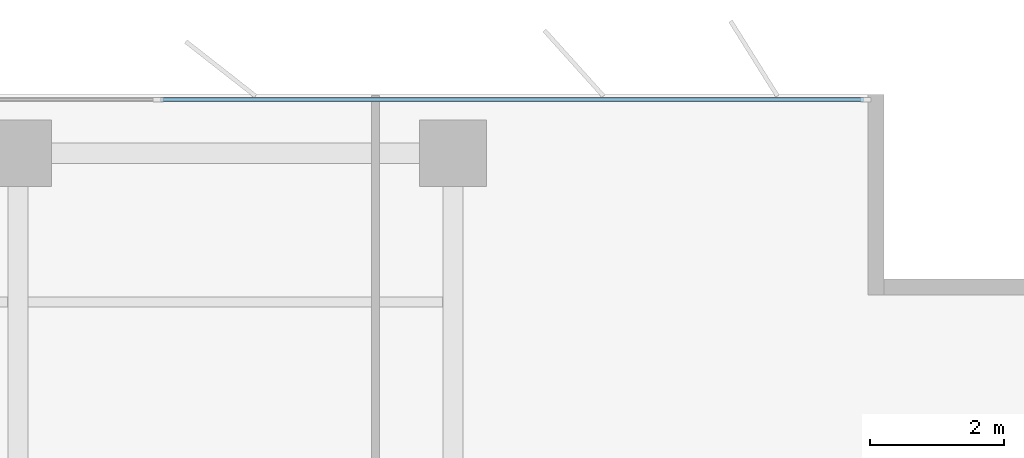
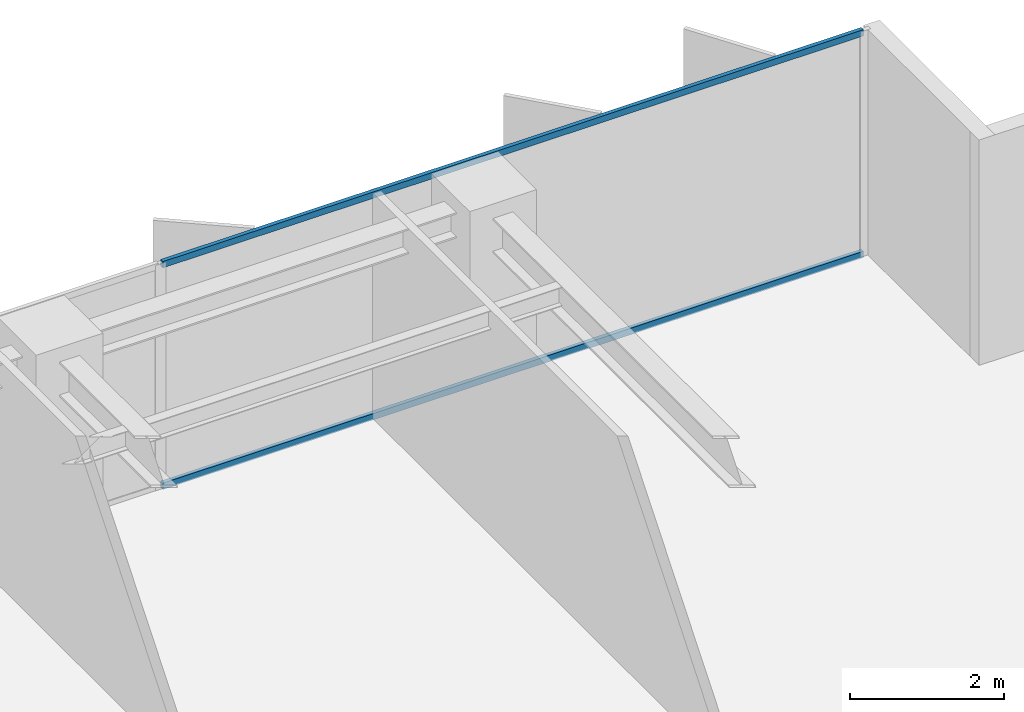
# One storey, part 11 of 22: 2 members, 1 element without a shape of its own.
"""IFC4 building model written with IfcOpenShell, lengths in metres."""

from ifc_helpers import new_model, si_unit, direction, frame, origin, origin_2d, place, context, subcontext, project, spatial, rectangle, extrude, material, layer, layer_set, material_profile, profile_set, type_object, element, aggregate, save


model = new_model("IFC4")

# Units and contexts
model_context = context("Model", 3, precision=1e-05, world=origin(), true_north=direction((0.0, 1.0)))
body_context = subcontext(model_context, "Body", "Model", "MODEL_VIEW")
ifc_project = project(units=[si_unit("LENGTHUNIT", "METRE"), si_unit("AREAUNIT", "SQUARE_METRE"), si_unit("VOLUMEUNIT", "CUBIC_METRE"), si_unit("PLANEANGLEUNIT", "RADIAN"), si_unit("MASSUNIT", "GRAM", prefix="KILO")], contexts=[model_context])

# Site, building, storey
site_placement = place(None, origin())
site = spatial("IfcSite", under=ifc_project, at=site_placement, CompositionType="ELEMENT")
building_placement = place(site_placement, origin())
building = spatial("IfcBuilding", under=site, at=building_placement, Name="Putna Gate Headquarters", CompositionType="ELEMENT")
storey_placement = place(building_placement, frame((0.0, 0.0, 174.60009765625)))
storey = spatial("IfcBuildingStorey", under=building, at=storey_placement, Name="L43", CompositionType="ELEMENT", Elevation=174.60009765625)

# Curtain wall, members
ifc_material_1 = material(Name="Anodised bronze aluminium curtain wall", Category="aluminium")
ifc_layer = layer(ifc_material_1, 0.159912109375)
ifc_layer_set = layer_set([ifc_layer], Name="Anodised bronze aluminium curtain wall")
curtain_wall_type = type_object("IfcCurtainWallType", Name="CW-SYS-Z3", PredefinedType="USERDEFINED", material=ifc_layer_set)
curtain_wall_placement = place(storey_placement, origin())
curtain_wall = element("IfcCurtainWall", 1, at=curtain_wall_placement, inside=storey, type_object=curtain_wall_type, Name="L43 North East Curtain Wall", ObjectType="STICK CURTAIN WALL", PredefinedType="USERDEFINED")
ifc_material_2 = material(Name="Anodised bronze aluminium EN AW-6060", Category="aluminium")
ifc_material_profile = material_profile(ifc_material_2, rectangle(XDim=0.06005859375, YDim=0.10009765625, at=origin_2d()), Name="Anodised bronze aluminium EN AW-6060")
ifc_profile_set = profile_set([ifc_material_profile], Name="Anodised bronze aluminium EN AW-6060")
member_type = type_object("IfcMemberType", Name="TRAN-CWT-3", PredefinedType="USERDEFINED", material=ifc_profile_set)
member_1_placement = place(storey_placement, frame((60.632568359375, 48.52001953125, 0.02978515625), z_axis=(1.0, 0.0, 0.0), x_axis=(0.0, 1.0, 0.0)))
member_1 = element("IfcMember", 2, at=member_1_placement, type_object=member_type, Name="CWS-3 transom 2.1", ObjectType="TRANSOM", PredefinedType="USERDEFINED", context=body_context, shape_type="SweptSolid", body=[
    extrude(rectangle(XDim=0.06005859375, YDim=0.10009765625, at=origin_2d()), origin(), (0.0, 0.0, 1.0), 10.50244140625),
])
member_2_placement = place(storey_placement, frame((60.632568359375, 48.52001953125, 3.5419921875), z_axis=(1.0, 0.0, 0.0), x_axis=(0.0, 1.0, 0.0)))
member_2 = element("IfcMember", 3, at=member_2_placement, type_object=member_type, Name="CWS-3 transom 2.2", ObjectType="TRANSOM", PredefinedType="USERDEFINED", context=body_context, shape_type="SweptSolid", body=[
    extrude(rectangle(XDim=0.06005859375, YDim=0.10009765625, at=origin_2d()), origin(), (0.0, 0.0, 1.0), 10.50244140625),
])
aggregate(curtain_wall, [member_1, member_2])

save(model, "model.ifc")
